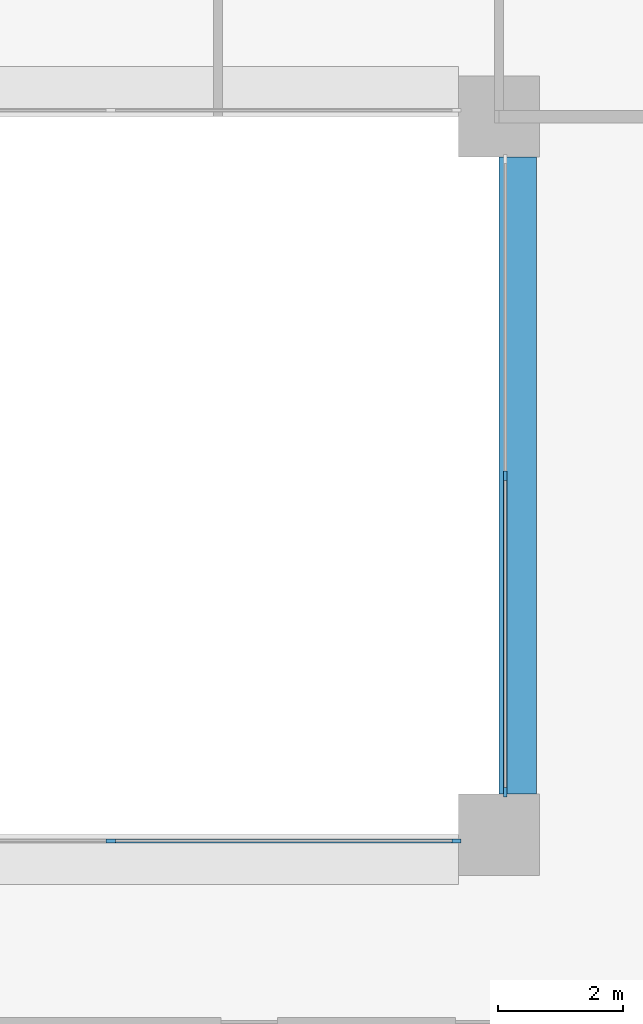
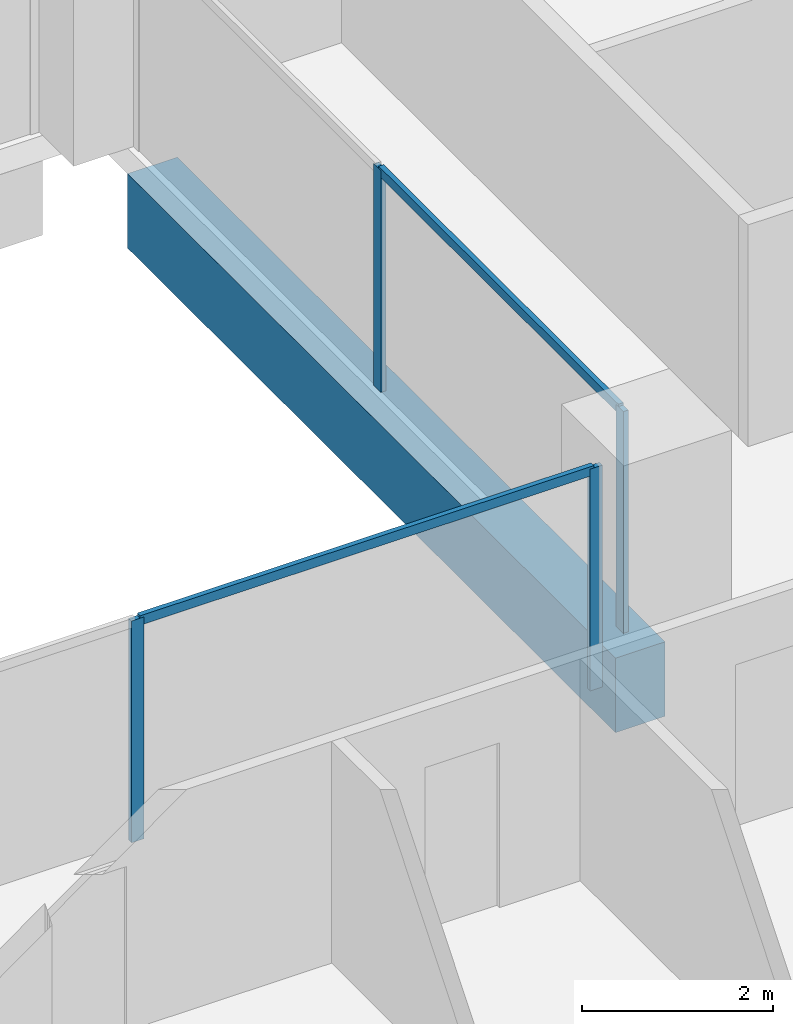
# One storey, part 4 of 16: 6 members, 1 beam, 2 elements without a shape of their own.
"""IFC4 building model written with IfcOpenShell, lengths in metres."""

from ifc_helpers import new_model, si_unit, direction, frame, origin, origin_2d, place, context, subcontext, project, spatial, rectangle, extrude, material, layer, layer_set, material_profile, profile_set, type_object, element, aggregate, save


model = new_model("IFC4")

# Units and contexts
model_context = context("Model", 3, precision=1e-05, world=origin(), true_north=direction((0.0, 1.0)))
body_context = subcontext(model_context, "Body", "Model", "MODEL_VIEW")
ifc_project = project(units=[si_unit("LENGTHUNIT", "METRE"), si_unit("AREAUNIT", "SQUARE_METRE"), si_unit("VOLUMEUNIT", "CUBIC_METRE"), si_unit("PLANEANGLEUNIT", "RADIAN"), si_unit("MASSUNIT", "GRAM", prefix="KILO")], contexts=[model_context])

# Site, building, storey
site_placement = place(None, origin())
site = spatial("IfcSite", under=ifc_project, at=site_placement, CompositionType="ELEMENT")
building_placement = place(site_placement, origin())
building = spatial("IfcBuilding", under=site, at=building_placement, Name="Brigalow Station Residences", CompositionType="ELEMENT")
storey_placement = place(building_placement, frame((0.0, 0.0, 99.300048828125)))
storey = spatial("IfcBuildingStorey", under=building, at=storey_placement, Name="L28", CompositionType="ELEMENT", Elevation=99.300048828125)

# Beam
ifc_material_1 = material(Name="Concrete C65", Category="concrete")
ifc_material_profile_1 = material_profile(ifc_material_1, rectangle(XDim=0.60009765625, YDim=0.949951171875, at=origin_2d()), Name="RC600x950")
ifc_profile_set_1 = profile_set([ifc_material_profile_1], Name="Concrete C65")
beam_type = type_object("IfcBeamType", Name="ATRIUM EDGE GIRDER 600x950 C65", PredefinedType="BEAM", material=ifc_profile_set_1)
beam_placement = place(storey_placement, frame((45.300048828125, 24.64990234375, -0.795166015625), z_axis=(0.0, 1.0, 0.0), x_axis=(-1.0, 0.0, 0.0)))
element("IfcBeam", 1, at=beam_placement, inside=storey, type_object=beam_type, Name="ATRIUM EDGE GIRDER 5 L28", PredefinedType="BEAM", context=body_context, shape_type="SweptSolid", body=[
    extrude(rectangle(XDim=0.60009765625, YDim=0.949951171875, at=origin_2d()), origin(), (0.0, 0.0, 1.0), 10.2001953125),
])

# Curtain wall, members
ifc_material_2 = material(Name="Aluminium", Category="aluminium")
ifc_layer = layer(ifc_material_2, 0.14990234375)
ifc_layer_set = layer_set([ifc_layer], Name="ATRIUM FIRE-RATED GLAZING CURTAIN WALL")
curtain_wall_type = type_object("IfcCurtainWallType", Name="ATRIUM FIRE-RATED GLAZING CURTAIN WALL", PredefinedType="NOTDEFINED", material=ifc_layer_set)
curtain_wall_1_placement = place(storey_placement, origin())
curtain_wall_1 = element("IfcCurtainWall", 2, at=curtain_wall_1_placement, inside=storey, type_object=curtain_wall_type, Name="L28/cw/atrium-S", PredefinedType="NOTDEFINED")
ifc_material_3 = material(Name="Aluminium", Category="aluminium")
ifc_material_profile_2 = material_profile(ifc_material_3, rectangle(XDim=0.06005859375, YDim=0.14990234375, at=origin_2d()), Name="ATRIUM FIRE-RATED GLAZING MULLION 60x150")
ifc_profile_set_2 = profile_set([ifc_material_profile_2], Name="Aluminium")
member_type_1 = type_object("IfcMemberType", Name="ATRIUM FIRE-RATED GLAZING MULLION 60x150", PredefinedType="MULLION", material=ifc_profile_set_2)
member_1_placement = place(storey_placement, frame((38.783203125, 23.89990234375, 0.0), z_axis=(0.0, 0.0, 1.0), x_axis=(0.0, 1.0, 0.0)))
member_1 = element("IfcMember", 3, at=member_1_placement, type_object=member_type_1, Name="L28/cw/atrium-S/M02", PredefinedType="MULLION", context=body_context, shape_type="SweptSolid", body=[
    extrude(rectangle(XDim=0.06005859375, YDim=0.14990234375, at=origin_2d()), origin(), (0.0, 0.0, 1.0), 2.829833984375),
])
member_2_placement = place(storey_placement, frame((44.320068359375, 23.89990234375, 0.0), z_axis=(0.0, 0.0, 1.0), x_axis=(0.0, 1.0, 0.0)))
member_2 = element("IfcMember", 4, at=member_2_placement, type_object=member_type_1, Name="L28/cw/atrium-S/M03", PredefinedType="MULLION", context=body_context, shape_type="SweptSolid", body=[
    extrude(rectangle(XDim=0.06005859375, YDim=0.14990234375, at=origin_2d()), origin(), (0.0, 0.0, 1.0), 2.829833984375),
])

curtain_wall_2_placement = place(storey_placement, origin())
curtain_wall_2 = element("IfcCurtainWall", 5, at=curtain_wall_2_placement, inside=storey, type_object=curtain_wall_type, Name="L28/cw/atrium-E", PredefinedType="NOTDEFINED")
member_3_placement = place(storey_placement, frame((45.10009765625, 24.679931640625, 0.0), z_axis=(0.0, 0.0, 1.0), x_axis=(-1.0, 0.0, 0.0)))
member_3 = element("IfcMember", 6, at=member_3_placement, type_object=member_type_1, Name="L28/cw/atrium-E/M00", PredefinedType="MULLION", context=body_context, shape_type="SweptSolid", body=[
    extrude(rectangle(XDim=0.06005859375, YDim=0.14990234375, at=origin_2d()), origin(), (0.0, 0.0, 1.0), 2.829833984375),
])
member_4_placement = place(storey_placement, frame((45.10009765625, 29.75, 0.0), z_axis=(0.0, 0.0, 1.0), x_axis=(-1.0, 0.0, 0.0)))
member_4 = element("IfcMember", 7, at=member_4_placement, type_object=member_type_1, Name="L28/cw/atrium-E/M01", PredefinedType="MULLION", context=body_context, shape_type="SweptSolid", body=[
    extrude(rectangle(XDim=0.06005859375, YDim=0.14990234375, at=origin_2d()), origin(), (0.0, 0.0, 1.0), 2.829833984375),
])

# Member
ifc_material_4 = material(Name="Aluminium", Category="aluminium")
ifc_material_profile_3 = material_profile(ifc_material_4, rectangle(XDim=0.06005859375, YDim=0.1201171875, at=origin_2d()), Name="ATRIUM FIRE-RATED GLAZING TRANSOM 60x120")
ifc_profile_set_3 = profile_set([ifc_material_profile_3], Name="Aluminium")
member_type_2 = type_object("IfcMemberType", Name="ATRIUM FIRE-RATED GLAZING TRANSOM 60x120", PredefinedType="USERDEFINED", material=ifc_profile_set_3)
member_5_placement = place(storey_placement, frame((38.813232421875, 23.89990234375, 2.800048828125), z_axis=(1.0, 0.0, 0.0), x_axis=(0.0, 1.0, 0.0)))
member_5 = element("IfcMember", 8, at=member_5_placement, type_object=member_type_2, Name="L28/cw/atrium-S/T02-00", ObjectType="TRANSOM", PredefinedType="USERDEFINED", context=body_context, shape_type="SweptSolid", body=[
    extrude(rectangle(XDim=0.06005859375, YDim=0.1201171875, at=origin_2d()), origin(), (0.0, 0.0, 1.0), 5.476806640625),
])

aggregate(curtain_wall_1, [member_1, member_2, member_5])

member_6_placement = place(storey_placement, frame((45.10009765625, 24.7099609375, 2.800048828125), z_axis=(0.0, 1.0, 0.0), x_axis=(-1.0, 0.0, 0.0)))
member_6 = element("IfcMember", 9, at=member_6_placement, type_object=member_type_2, Name="L28/cw/atrium-E/T00-00", ObjectType="TRANSOM", PredefinedType="USERDEFINED", context=body_context, shape_type="SweptSolid", body=[
    extrude(rectangle(XDim=0.06005859375, YDim=0.1201171875, at=origin_2d()), origin(), (0.0, 0.0, 1.0), 5.010009765625),
])

aggregate(curtain_wall_2, [member_3, member_4, member_6])

save(model, "model.ifc")
